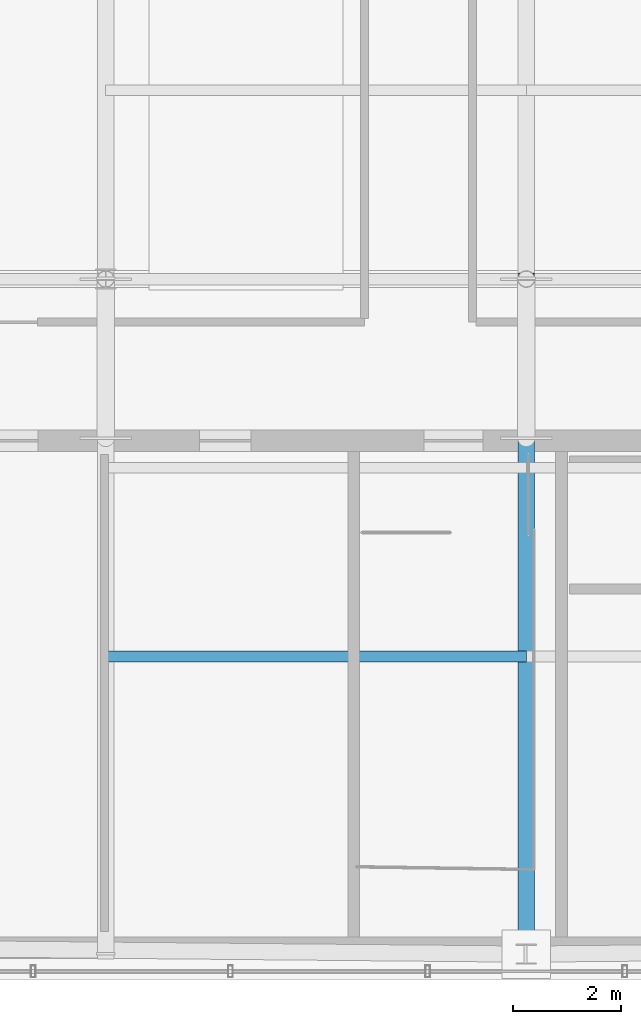
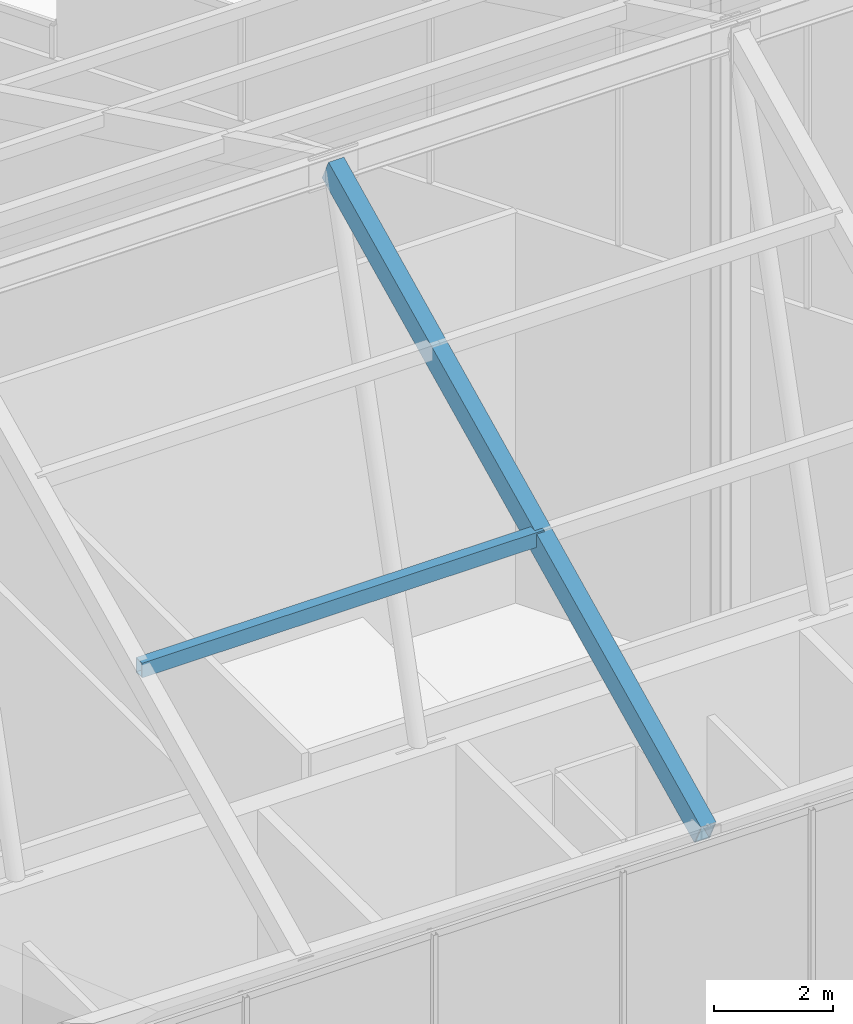
# One storey, part 14 of 36: 2 members.
"""IFC4 building model written with IfcOpenShell, lengths in metres."""

from ifc_helpers import new_model, si_unit, direction, frame, origin, origin_2d, place, context, subcontext, project, spatial, hollow_rectangle, extrude, material, material_profile, profile_set, type_object, element, save


model = new_model("IFC4")

# Units and contexts
model_context = context("Model", 3, precision=1e-05, world=origin(), true_north=direction((0.0, 1.0)))
body_context = subcontext(model_context, "Body", "Model", "MODEL_VIEW")
ifc_project = project(units=[si_unit("LENGTHUNIT", "METRE"), si_unit("AREAUNIT", "SQUARE_METRE"), si_unit("VOLUMEUNIT", "CUBIC_METRE"), si_unit("PLANEANGLEUNIT", "RADIAN"), si_unit("MASSUNIT", "GRAM", prefix="KILO")], contexts=[model_context])

# Site, building, storey
site_placement = place(None, origin())
site = spatial("IfcSite", under=ifc_project, at=site_placement, CompositionType="ELEMENT")
building_placement = place(site_placement, origin())
building = spatial("IfcBuilding", under=site, at=building_placement, Name="Ndaravel Arena Tower", CompositionType="ELEMENT")
storey_placement = place(building_placement, frame((0.0, 0.0, 308.10009765625)))
storey = spatial("IfcBuildingStorey", under=building, at=storey_placement, Name="Roof Crown", CompositionType="ELEMENT", Elevation=308.10009765625)

# Members
ifc_material_1 = material(Name="Steel S355", Category="steel")
ifc_material_profile_1 = material_profile(ifc_material_1, hollow_rectangle(XDim=0.199951171875, YDim=0.300048828125, WallThickness=0.012451171875, at=origin_2d()), Name="RHS 300x200x12.5")
ifc_profile_set_1 = profile_set([ifc_material_profile_1], Name="Steel S355")
member_type_1 = type_object("IfcMemberType", Name="MEM-CRN-PURLIN1", PredefinedType="PURLIN", material=ifc_profile_set_1)
member_1_placement = place(storey_placement, frame((34.199951171875, 11.0, 15.886474609375), z_axis=(1.0, 0.0, 0.0), x_axis=(0.0, 1.0, 0.0)))
element("IfcMember", 1, at=member_1_placement, inside=storey, type_object=member_type_1, Name="Crown Roof Purlin West CRP-A1", PredefinedType="PURLIN", context=body_context, shape_type="SweptSolid", body=[
    extrude(hollow_rectangle(XDim=0.199951171875, YDim=0.300048828125, WallThickness=0.012451171875, at=origin_2d()), origin(), (0.0, 0.0, 1.0), 7.800048828125),
])
ifc_material_2 = material(Name="Steel S355", Category="steel")
ifc_material_profile_2 = material_profile(ifc_material_2, hollow_rectangle(XDim=0.300048828125, YDim=0.5, WallThickness=0.02001953125, at=origin_2d()), Name="RHS 500x300x20")
ifc_profile_set_2 = profile_set([ifc_material_profile_2], Name="Steel S355")
member_type_2 = type_object("IfcMemberType", Name="MEM-CRN-RAFTER", PredefinedType="RAFTER", material=ifc_profile_set_2)
member_2_placement = place(storey_placement, frame((42.0, 5.5, 13.11376953125), z_axis=(0.0, 0.900208834512, 0.435458441491), x_axis=(-1.0, 0.0, 0.0)))
element("IfcMember", 2, at=member_2_placement, inside=storey, type_object=member_type_2, Name="Crown South Sloped Rafter CSR-2", PredefinedType="RAFTER", context=body_context, shape_type="SweptSolid", body=[
    extrude(hollow_rectangle(XDim=0.300048828125, YDim=0.5, WallThickness=0.02001953125, at=origin_2d()), origin(), (0.0, 0.0, 1.0), 13.8857421875),
])

save(model, "model.ifc")
